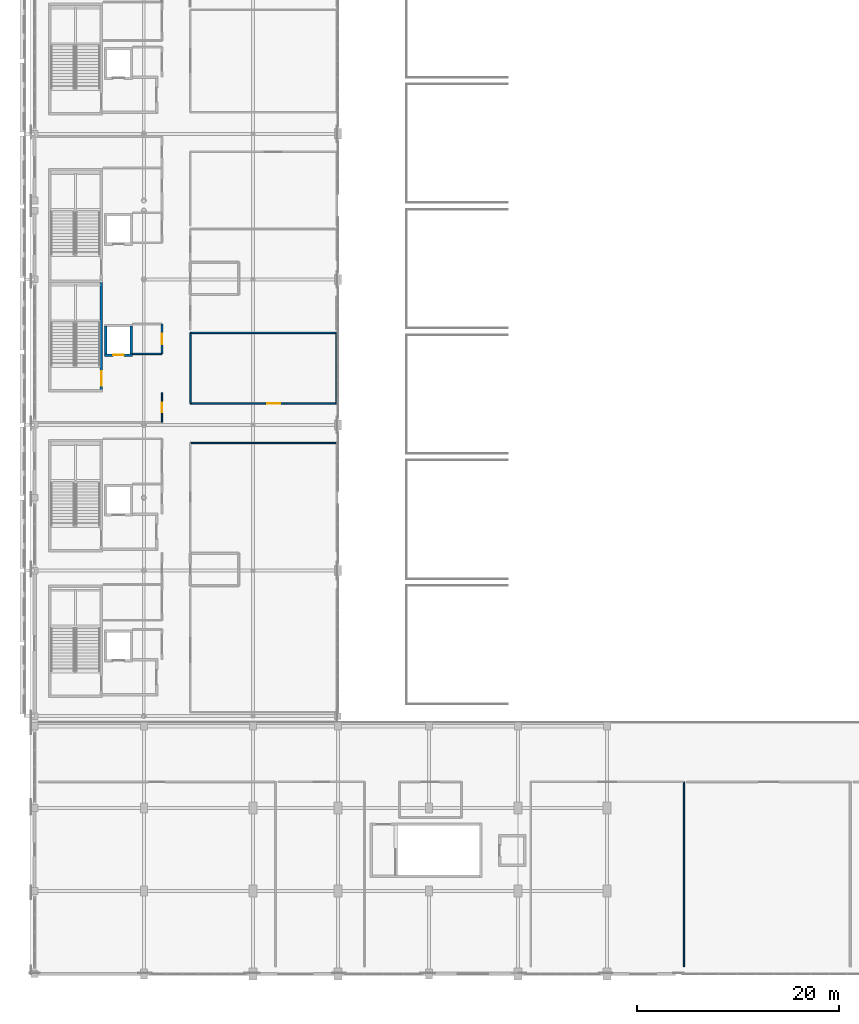
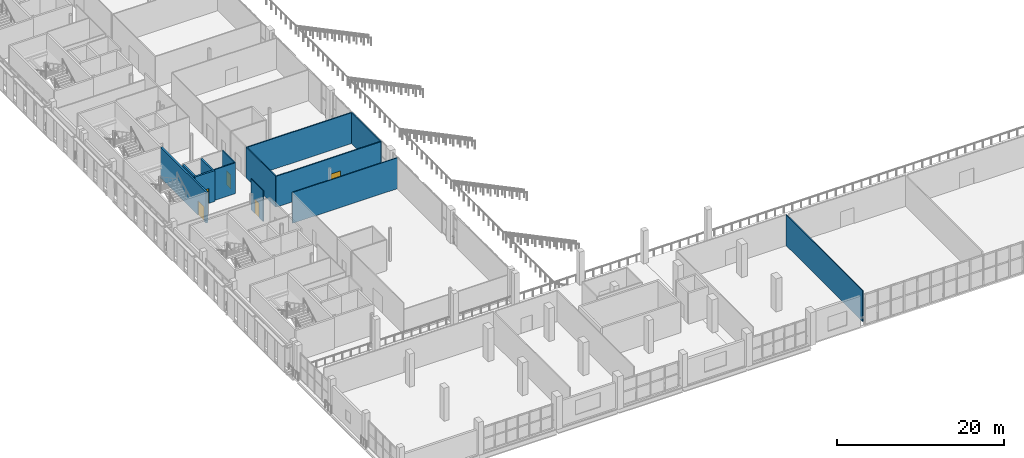
# One storey, part 64 of 104: 13 walls, 5 doors, 5 openings.
"""IFC4 building model written with IfcOpenShell, lengths in metres."""

import ifcopenshell
import ifcopenshell.guid

model = None  # the IFC model being written
_history = None  # IfcOwnerHistory: only IFC2X3 demands one
_inside = {}  # id of a spatial element -> (the spatial element, [elements in it])
_under = {}  # id of a project, library or spatial element -> (it, [spatial elements below it])
_declared = {}  # id of a project -> (the project, [libraries it declares])
_typed = {}  # id of a type object -> (the type object, [elements of that type])
_made_of = {}  # id of a material, layer set ... -> (it, [elements and type objects made of it])


def new_model(schema):
    """Start an empty IFC model of exactly this schema.

    Asked for "IFC4X3", IfcOpenShell would pick the latest addendum, in which some entities
    have other attributes; the version numbers below select the first issue.
    IFC2X3 requires an IfcOwnerHistory on every rooted entity: one is made here for all.
    """
    global model, _history
    if schema == "IFC4X3":
        model = ifcopenshell.file(schema_version=(4, 3, 0, 0))
    else:
        model = ifcopenshell.file(schema=schema)
    _inside.clear()
    _under.clear()
    _declared.clear()
    _typed.clear()
    _made_of.clear()
    _history = None
    if model.schema == "IFC2X3":
        org = make("IfcOrganization", Name="unknown")
        user = make(
            "IfcPersonAndOrganization",
            ThePerson=make("IfcPerson", FamilyName="unknown"),
            TheOrganization=org,
        )
        app = make(
            "IfcApplication",
            ApplicationDeveloper=org,
            Version="unknown",
            ApplicationFullName="unknown",
            ApplicationIdentifier="unknown",
        )
        _history = make(
            "IfcOwnerHistory",
            OwningUser=user,
            OwningApplication=app,
            ChangeAction="ADDED",
            CreationDate=0,
        )
    return model


def make(cls, **values):
    """One entity of the class cls with the attributes given. An attribute that is None is left unset."""
    return model.create_entity(
        cls, **{name: value for name, value in values.items() if value is not None}
    )


def rooted(cls, **values):
    """An entity with a GlobalId (a new one), such as an element, a storey or a relation."""
    return make(cls, GlobalId=ifcopenshell.guid.new(), OwnerHistory=_history, **values)


def si_unit(unit_type, name, prefix=None):
    """IfcSIUnit, for example si_unit("LENGTHUNIT", "METRE", prefix="MILLI")."""
    return make("IfcSIUnit", UnitType=unit_type, Prefix=prefix, Name=name)


def assignment(units):
    """IfcUnitAssignment: the units of a project."""
    return None if units is None else make("IfcUnitAssignment", Units=units)


def point(xyz):
    """IfcCartesianPoint."""
    return None if xyz is None else make("IfcCartesianPoint", Coordinates=xyz)


def direction(xyz):
    """IfcDirection."""
    return None if xyz is None else make("IfcDirection", DirectionRatios=xyz)


def frame(location, z_axis=None, x_axis=None):
    """IfcAxis2Placement3D, a coordinate frame: its origin and axes. An axis left out is left unset."""
    return make(
        "IfcAxis2Placement3D",
        Location=point(location),
        Axis=direction(z_axis),
        RefDirection=direction(x_axis),
    )


def frame_2d(location, x_axis=None):
    """IfcAxis2Placement2D, a coordinate frame in the plane: its origin and x axis."""
    return make(
        "IfcAxis2Placement2D", Location=point(location), RefDirection=direction(x_axis)
    )


def origin():
    """The frame at (0, 0, 0) with its axes left unset."""
    return frame((0.0, 0.0, 0.0))


def place(relative_to, where):
    """IfcLocalPlacement: puts the frame where relative to a parent placement (None: the world)."""
    return make(
        "IfcLocalPlacement", PlacementRelTo=relative_to, RelativePlacement=where
    )


def context(
    kind, dimensions, precision=None, world=None, true_north=None, identifier=None
):
    """IfcGeometricRepresentationContext, for example the 3D "Model" context."""
    return make(
        "IfcGeometricRepresentationContext",
        ContextIdentifier=identifier,
        ContextType=kind,
        CoordinateSpaceDimension=dimensions,
        Precision=precision,
        WorldCoordinateSystem=world,
        TrueNorth=true_north,
    )


def subcontext(parent, identifier, kind, view, scale=None):
    """IfcGeometricRepresentationSubContext, for example "Body" below "Model"."""
    return make(
        "IfcGeometricRepresentationSubContext",
        ContextIdentifier=identifier,
        ContextType=kind,
        ParentContext=parent,
        TargetScale=scale,
        TargetView=view,
    )


def project(units=None, contexts=None):
    """IfcProject with its units and contexts."""
    return rooted(
        "IfcProject",
        Name="project",
        RepresentationContexts=contexts,
        UnitsInContext=assignment(units),
    )


def spatial(cls, under=None, at=None, **own):
    """A site, building, storey or space (cls), placed at a placement, below another one or the project."""
    s = rooted(cls, ObjectPlacement=at, **own)
    if under is not None:
        _under.setdefault(under.id(), (under, []))[1].append(s)
    return s


def profile(cls, at=None, kind="AREA", **sizes):
    """A parametric profile (cls). Its sizes go by their IFC names, for example OverallWidth=200.0."""
    return make(cls, ProfileType=kind, Position=at, **sizes)


def rectangle(**sizes):
    """IfcRectangleProfileDef."""
    return profile("IfcRectangleProfileDef", **sizes)


def extrude(swept, where, along, depth):
    """IfcExtrudedAreaSolid: the profile swept, set in the frame where, extruded along a direction by depth."""
    return make(
        "IfcExtrudedAreaSolid",
        SweptArea=swept,
        Position=where,
        ExtrudedDirection=direction(along),
        Depth=depth,
    )


def shape(context_of_items, identifier, shape_type, items):
    """IfcShapeRepresentation: the items that make up one representation, for example the "Body"."""
    return make(
        "IfcShapeRepresentation",
        ContextOfItems=context_of_items,
        RepresentationIdentifier=identifier,
        RepresentationType=shape_type,
        Items=items,
    )


def material(Name=None, Category=None):
    """IfcMaterial."""
    return make("IfcMaterial", Name=Name, Category=Category)


def layer(
    of_material, thickness, ventilated=None, Name=None, Category=None, Priority=None
):
    """IfcMaterialLayer: one layer of a wall or slab, of a material (None: an air gap)."""
    return make(
        "IfcMaterialLayer",
        Material=of_material,
        LayerThickness=thickness,
        IsVentilated=ventilated,
        Name=Name,
        Category=Category,
        Priority=Priority,
    )


def layer_set(layers, Name=None):
    """IfcMaterialLayerSet."""
    return make("IfcMaterialLayerSet", MaterialLayers=layers, LayerSetName=Name)


def made_of(thing, what):
    """Note that an element or type object is made of a material, layer set ...; save() writes the relation."""
    if what is not None:
        _made_of.setdefault(what.id(), (what, []))[1].append(thing)
    return thing


def type_object(cls, material=None, **own):
    """A type object (cls), such as IfcWallType, which elements share."""
    return made_of(rooted(cls, **own), material)


def element(
    cls,
    number,
    at=None,
    inside=None,
    cuts=None,
    type_object=None,
    material=None,
    context=None,
    identifier="Body",
    shape_type=None,
    held_by="IfcProductDefinitionShape",
    body=None,
    shapes=None,
    **own,
):
    """One element of the class cls, such as IfcWall. Its Tag is "e" and its number.

    at: its placement. inside: the storey or other place that contains it. cuts: it is an
    opening in that element (IfcRelVoidsElement). A single representation is given by context,
    identifier, shape_type and body (its items); several are given by shapes. held_by: the class
    of the entity that holds the representations. save() writes the other relations.
    """
    e = rooted(cls, Tag="e%d" % number, ObjectPlacement=at, **own)
    if body is not None:
        shapes = [shape(context, identifier, shape_type, body)]
    if shapes is not None:
        e.Representation = make(held_by, Representations=shapes)
    if inside is not None:
        _inside.setdefault(inside.id(), (inside, []))[1].append(e)
    if cuts is not None:
        rooted(
            "IfcRelVoidsElement", RelatingBuildingElement=cuts, RelatedOpeningElement=e
        )
    if type_object is not None:
        _typed.setdefault(type_object.id(), (type_object, []))[1].append(e)
    return made_of(e, material)


def fill(opening, filler):
    """IfcRelFillsElement: the door or window that sits in an opening."""
    return rooted(
        "IfcRelFillsElement",
        RelatingOpeningElement=opening,
        RelatedBuildingElement=filler,
    )


def aggregate(whole, parts):
    """IfcRelAggregates: a whole, such as a stair, and the parts it consists of."""
    return rooted("IfcRelAggregates", RelatingObject=whole, RelatedObjects=parts)


def save(model, path):
    """Write the relations noted so far, then the file.

    IfcRelAggregates (storeys below a building ...), IfcRelContainedInSpatialStructure (elements
    in a storey), IfcRelDefinesByType, IfcRelAssociatesMaterial and IfcRelDeclares: one each for
    every whole, place, type object, material and project.
    """
    for whole, parts in _under.values():
        aggregate(whole, parts)
    for where, things in _inside.values():
        rooted(
            "IfcRelContainedInSpatialStructure",
            RelatedElements=things,
            RelatingStructure=where,
        )
    for kind, things in _typed.values():
        rooted("IfcRelDefinesByType", RelatedObjects=things, RelatingType=kind)
    for what, things in _made_of.values():
        rooted("IfcRelAssociatesMaterial", RelatedObjects=things, RelatingMaterial=what)
    for by, libraries in _declared.values():
        rooted("IfcRelDeclares", RelatingContext=by, RelatedDefinitions=libraries)
    model.write(path)


model = new_model("IFC4")

# Units and contexts
model_context = context("Model", 3, precision=1e-05, world=origin(), true_north=direction((0.0, 1.0)))
body_context = subcontext(model_context, "Body", "Model", "MODEL_VIEW")
ifc_project = project(units=[si_unit("LENGTHUNIT", "METRE"), si_unit("AREAUNIT", "SQUARE_METRE"), si_unit("VOLUMEUNIT", "CUBIC_METRE"), si_unit("PLANEANGLEUNIT", "RADIAN"), si_unit("MASSUNIT", "GRAM", prefix="KILO")], contexts=[model_context])

# Site, building, storey
site_placement = place(None, origin())
site = spatial("IfcSite", under=ifc_project, at=site_placement, CompositionType="ELEMENT")
building_placement = place(site_placement, origin())
building = spatial("IfcBuilding", under=site, at=building_placement, Name="Koshinbarg Plaza Stadium", CompositionType="ELEMENT")
storey_placement = place(building_placement, frame((0.0, 0.0, 19.800048828125)))
storey = spatial("IfcBuildingStorey", under=building, at=storey_placement, Name="L04", CompositionType="ELEMENT", Elevation=19.800048828125)

# Wall, opening, door
ifc_material_1 = material(Name="Concrete C40/50", Category="concrete")
ifc_layer_1 = layer(ifc_material_1, 0.25)
ifc_layer_set_1 = layer_set([ifc_layer_1], Name="Concrete C40/50")
wall_type_1 = type_object("IfcWallType", Name="WL-CORE-250", PredefinedType="SHEAR", material=ifc_layer_set_1)
wall_1_placement = place(storey_placement, frame((31.195068359375, 57.675048828125, 0.0), z_axis=(0.0, 0.0, 1.0), x_axis=(0.0, 1.0, 0.0)))
wall_1 = element("IfcWall", 1, at=wall_1_placement, inside=storey, type_object=wall_type_1, Name="L04 core stair shear wall C03-right IWL-L04-0076", PredefinedType="SHEAR", context=body_context, shape_type="SweptSolid", body=[
    extrude(rectangle(XDim=10.849853515625, YDim=0.25, at=frame_2d((5.4248046875, 0.0))), origin(), (0.0, 0.0, 1.0), 4.5),
])
opening_1_placement = place(wall_1_placement, frame((0.52001953125, 0.0, 0.0)))
opening_1 = element("IfcOpeningElement", 2, at=opening_1_placement, cuts=wall_1, Name="Opening D-0079", PredefinedType="OPENING", context=body_context, shape_type="SweptSolid", body=[
    extrude(rectangle(XDim=1.39990234375, YDim=2.14990234375, at=frame_2d((0.699951171875, 1.074951171875))), frame((0.0, 0.135009765625, 0.0), z_axis=(0.0, -1.0, 0.0), x_axis=(1.0, 0.0, 0.0)), (0.0, 0.0, 1.0), 0.27001953125),
])
ifc_material_2 = material(Name="Painted galvanized steel fire door", Category="steel")
door_type_1 = type_object("IfcDoorType", Name="DR-STAIR-1400", OperationType="NOTDEFINED", PredefinedType="DOOR", material=ifc_material_2)
door_1_placement = place(opening_1_placement, origin())
door_1 = element("IfcDoor", 3, at=door_1_placement, inside=storey, type_object=door_type_1, Name="L04 exit stair door C03", OperationType="SINGLE_SWING_LEFT", OverallHeight=2.14990234375, OverallWidth=1.39990234375, PredefinedType="DOOR", context=body_context, shape_type="SweptSolid", body=[
    extrude(rectangle(XDim=1.39990234375, YDim=2.14990234375, at=frame_2d((0.699951171875, 1.074951171875))), frame((0.0, 0.02490234375, 0.0), z_axis=(0.0, -1.0, 0.0), x_axis=(1.0, 0.0, 0.0)), (0.0, 0.0, 1.0), 0.050048828125),
])
fill(opening_1, door_1)

wall_2_placement = place(storey_placement, frame((31.52490234375, 61.199951171875, 0.0), z_axis=(0.0, 0.0, 1.0), x_axis=(1.0, 0.0, 0.0)))
wall_2 = element("IfcWall", 4, at=wall_2_placement, inside=storey, type_object=wall_type_1, Name="L04 lift shaft shear wall LP01-S IWL-L04-0724", PredefinedType="SHEAR", context=body_context, shape_type="SweptSolid", body=[
    extrude(rectangle(XDim=2.75, YDim=0.25, at=frame_2d((1.375, 0.0))), origin(), (0.0, 0.0, 1.0), 4.5),
])
opening_2_placement = place(wall_2_placement, frame((0.85009765625, 0.0, 0.0)))
opening_2 = element("IfcOpeningElement", 5, at=opening_2_placement, cuts=wall_2, Name="Opening D-0247", PredefinedType="OPENING", context=body_context, shape_type="SweptSolid", body=[
    extrude(rectangle(XDim=1.050048828125, YDim=2.14990234375, at=frame_2d((0.52490234375, 1.074951171875))), frame((0.0, 0.135009765625, 0.0), z_axis=(0.0, -1.0, 0.0), x_axis=(1.0, 0.0, 0.0)), (0.0, 0.0, 1.0), 0.27001953125),
])
ifc_material_3 = material(Name="Brushed stainless steel sliding lift landing door", Category="steel")
door_type_2 = type_object("IfcDoorType", Name="DR-LIFT-1050", OperationType="NOTDEFINED", PredefinedType="DOOR", material=ifc_material_3)
door_2_placement = place(opening_2_placement, origin())
door_2 = element("IfcDoor", 6, at=door_2_placement, inside=storey, type_object=door_type_2, Name="L04 lift landing door LP01", OperationType="SLIDING_TO_RIGHT", OverallHeight=2.14990234375, OverallWidth=1.050048828125, PredefinedType="DOOR", context=body_context, shape_type="SweptSolid", body=[
    extrude(rectangle(XDim=1.050048828125, YDim=2.14990234375, at=frame_2d((0.52490234375, 1.074951171875))), frame((0.0, 0.02490234375, 0.0), z_axis=(0.0, -1.0, 0.0), x_axis=(1.0, 0.0, 0.0)), (0.0, 0.0, 1.0), 0.050048828125),
])
fill(opening_2, door_2)

# Walls
for number, where, z_axis, x_axis, name in (
    (7, (31.64990234375, 64.10009765625, 0.0), (0.0, 0.0, 1.0), (0.0, -1.0, 0.0), "L04 lift shaft shear wall LP01-W IWL-L04-0726"),
    (8, (34.14990234375, 61.199951171875, 0.0), (0.0, 0.0, 1.0), (0.0, 1.0, 0.0), "L04 lift shaft shear wall LP01-E IWL-L04-0727"),
):
    element("IfcWall", number, at=place(storey_placement, frame(where, z_axis=z_axis, x_axis=x_axis)), inside=storey, type_object=wall_type_1, Name=name, PredefinedType="SHEAR", context=body_context, shape_type="SweptSolid", body=[
        extrude(rectangle(XDim=2.900146484375, YDim=0.25, at=frame_2d((1.4501953125, 0.0))), origin(), (0.0, 0.0, 1.0), 4.5),
    ])
ifc_material_4 = material(Name="Gypsum board metal-stud acoustic partition")
ifc_layer_2 = layer(ifc_material_4, 0.1201171875)
ifc_layer_set_2 = layer_set([ifc_layer_2], Name="Gypsum board metal-stud acoustic partition")
wall_type_2 = type_object("IfcWallType", Name="WL-PART-120", PredefinedType="PARTITIONING", material=ifc_layer_set_2)
wall_3_placement = place(storey_placement, frame((54.47998046875, 52.52001953125, 0.0), z_axis=(0.0, 0.0, 1.0), x_axis=(-1.0, 0.0, 0.0)))
element("IfcWall", 9, at=wall_3_placement, inside=storey, type_object=wall_type_2, Name="L04 interior partition L04-42-north IWL-L04-2106", PredefinedType="PARTITIONING", context=body_context, shape_type="SweptSolid", body=[
    extrude(rectangle(XDim=14.47998046875, YDim=0.1201171875, at=frame_2d((7.239990234375, 0.0))), origin(), (0.0, 0.0, 1.0), 4.5),
])

# Wall, opening, door
wall_4_placement = place(storey_placement, frame((37.199951171875, 54.570068359375, 0.0), z_axis=(0.0, 0.0, 1.0), x_axis=(0.0, 1.0, 0.0)))
wall_4 = element("IfcWall", 10, at=wall_4_placement, inside=storey, type_object=wall_type_2, Name="L04 interior partition L04-43-east IWL-L04-2109", PredefinedType="PARTITIONING", context=body_context, shape_type="SweptSolid", body=[
    extrude(rectangle(XDim=2.89990234375, YDim=0.1201171875, at=frame_2d((1.449951171875, 0.0))), origin(), (0.0, 0.0, 1.0), 4.5),
])
opening_3_placement = place(wall_4_placement, frame((0.969970703125, 0.0, 0.0)))
opening_3 = element("IfcOpeningElement", 11, at=opening_3_placement, cuts=wall_4, Name="Opening D-0726", PredefinedType="OPENING", context=body_context, shape_type="SweptSolid", body=[
    extrude(rectangle(XDim=0.9599609375, YDim=2.10009765625, at=frame_2d((0.47998046875, 1.050048828125))), frame((0.0, 0.070068359375, 0.0), z_axis=(0.0, -1.0, 0.0), x_axis=(1.0, 0.0, 0.0)), (0.0, 0.0, 1.0), 0.14013671875),
])
ifc_material_5 = material(Name="Solid-core oak veneer acoustic door")
door_type_3 = type_object("IfcDoorType", Name="DR-INT-0960x2100", OperationType="NOTDEFINED", PredefinedType="DOOR", material=ifc_material_5)
door_3_placement = place(opening_3_placement, origin())
door_3 = element("IfcDoor", 12, at=door_3_placement, inside=storey, type_object=door_type_3, Name="L04 West Skybox Salon door D-0726", OperationType="SINGLE_SWING_RIGHT", OverallHeight=2.10009765625, OverallWidth=0.9599609375, PredefinedType="DOOR", context=body_context, shape_type="SweptSolid", body=[
    extrude(rectangle(XDim=0.9599609375, YDim=2.10009765625, at=frame_2d((0.47998046875, 1.050048828125))), frame((0.0, 0.02490234375, 0.0), z_axis=(0.0, -1.0, 0.0), x_axis=(1.0, 0.0, 0.0)), (0.0, 0.0, 1.0), 0.050048828125),
])
fill(opening_3, door_3)

# Walls
wall_5_placement = place(storey_placement, frame((88.8232421875, 0.699951171875, 0.0), z_axis=(0.0, 0.0, 1.0), x_axis=(0.0, 1.0, 0.0)))
element("IfcWall", 13, at=wall_5_placement, inside=storey, type_object=wall_type_2, Name="L04 interior partition L04-86-east IWL-L04-2226", PredefinedType="PARTITIONING", context=body_context, shape_type="SweptSolid", body=[
    extrude(rectangle(XDim=18.300048828125, YDim=0.1201171875, at=frame_2d((9.14990234375, 0.0))), origin(), (0.0, 0.0, 1.0), 4.5),
])
ifc_material_6 = material(Name="Double-layer gypsum acoustic suite partition")
ifc_layer_3 = layer(ifc_material_6, 0.14990234375)
ifc_layer_set_3 = layer_set([ifc_layer_3], Name="Double-layer gypsum acoustic suite partition")
wall_type_3 = type_object("IfcWallType", Name="WL-PART-150", PredefinedType="PARTITIONING", material=ifc_layer_set_3)
wall_6_placement = place(storey_placement, frame((34.330078125, 61.330078125, 0.0), z_axis=(0.0, 0.0, 1.0), x_axis=(1.0, 0.0, 0.0)))
element("IfcWall", 14, at=wall_6_placement, inside=storey, type_object=wall_type_3, Name="L04 interior partition L04-44-south IWL-L04-2110", PredefinedType="PARTITIONING", context=body_context, shape_type="SweptSolid", body=[
    extrude(rectangle(XDim=2.869873046875, YDim=0.14990234375, at=frame_2d((1.43505859375, 0.0))), origin(), (0.0, 0.0, 1.0), 4.5),
])

# Wall, opening, door
wall_7_placement = place(storey_placement, frame((37.199951171875, 61.330078125, 0.0), z_axis=(0.0, 0.0, 1.0), x_axis=(0.0, 1.0, 0.0)))
wall_7 = element("IfcWall", 15, at=wall_7_placement, inside=storey, type_object=wall_type_3, Name="L04 interior partition L04-44-east IWL-L04-2111", PredefinedType="PARTITIONING", context=body_context, shape_type="SweptSolid", body=[
    extrude(rectangle(XDim=2.949951171875, YDim=0.14990234375, at=frame_2d((1.47509765625, 0.0))), origin(), (0.0, 0.0, 1.0), 4.5),
])
opening_4_placement = place(wall_7_placement, frame((0.97509765625, 0.0, 0.0)))
opening_4 = element("IfcOpeningElement", 16, at=opening_4_placement, cuts=wall_7, Name="Opening D-0727", PredefinedType="OPENING", context=body_context, shape_type="SweptSolid", body=[
    extrude(rectangle(XDim=1.0, YDim=2.10009765625, at=frame_2d((0.5, 1.050048828125))), frame((0.0, 0.0849609375, 0.0), z_axis=(0.0, -1.0, 0.0), x_axis=(1.0, 0.0, 0.0)), (0.0, 0.0, 1.0), 0.169921875),
])
ifc_material_7 = material(Name="Solid-core laminate accessible WC door")
door_type_4 = type_object("IfcDoorType", Name="DR-INT-1000x2100", OperationType="NOTDEFINED", PredefinedType="DOOR", material=ifc_material_7)
door_4_placement = place(opening_4_placement, origin())
door_4 = element("IfcDoor", 17, at=door_4_placement, inside=storey, type_object=door_type_4, Name="L04 Commentary Production Studio door D-0727", OperationType="SINGLE_SWING_LEFT", OverallHeight=2.10009765625, OverallWidth=1.0, PredefinedType="DOOR", context=body_context, shape_type="SweptSolid", body=[
    extrude(rectangle(XDim=1.0, YDim=2.10009765625, at=frame_2d((0.5, 1.050048828125))), frame((0.0, 0.02490234375, 0.0), z_axis=(0.0, -1.0, 0.0), x_axis=(1.0, 0.0, 0.0)), (0.0, 0.0, 1.0), 0.050048828125),
])
fill(opening_4, door_4)

wall_8_placement = place(storey_placement, frame((40.0, 56.429931640625, 0.0), z_axis=(0.0, 0.0, 1.0), x_axis=(1.0, 0.0, 0.0)))
wall_8 = element("IfcWall", 18, at=wall_8_placement, inside=storey, type_object=wall_type_3, Name="L04 interior partition L04-48-south IWL-L04-2120", PredefinedType="PARTITIONING", context=body_context, shape_type="SweptSolid", body=[
    extrude(rectangle(XDim=14.47998046875, YDim=0.14990234375, at=frame_2d((7.239990234375, 0.0))), origin(), (0.0, 0.0, 1.0), 4.5),
])
opening_5_placement = place(wall_8_placement, frame((7.58837890625, 0.0, 0.0)))
opening_5 = element("IfcOpeningElement", 19, at=opening_5_placement, cuts=wall_8, Name="Opening D-0731", PredefinedType="OPENING", context=body_context, shape_type="SweptSolid", body=[
    extrude(rectangle(XDim=1.300048828125, YDim=2.199951171875, at=frame_2d((0.64990234375, 1.10009765625))), frame((0.0, 0.0849609375, 0.0), z_axis=(0.0, -1.0, 0.0), x_axis=(1.0, 0.0, 0.0)), (0.0, 0.0, 1.0), 0.169921875),
])
ifc_material_8 = material(Name="Thermally broken anodised aluminium glazed door", Category="aluminium")
door_type_5 = type_object("IfcDoorType", Name="DR-INT-1300x2200", OperationType="NOTDEFINED", PredefinedType="DOOR", material=ifc_material_8)
door_5_placement = place(opening_5_placement, origin())
door_5 = element("IfcDoor", 20, at=door_5_placement, inside=storey, type_object=door_type_5, Name="L04 Commentary Production Studio door D-0731", OperationType="SINGLE_SWING_LEFT", OverallHeight=2.199951171875, OverallWidth=1.300048828125, PredefinedType="DOOR", context=body_context, shape_type="SweptSolid", body=[
    extrude(rectangle(XDim=1.300048828125, YDim=2.199951171875, at=frame_2d((0.64990234375, 1.10009765625))), frame((0.0, 0.02490234375, 0.0), z_axis=(0.0, -1.0, 0.0), x_axis=(1.0, 0.0, 0.0)), (0.0, 0.0, 1.0), 0.050048828125),
])
fill(opening_5, door_5)

# Walls
wall_9_placement = place(storey_placement, frame((54.47998046875, 56.429931640625, 0.0), z_axis=(0.0, 0.0, 1.0), x_axis=(0.0, 1.0, 0.0)))
element("IfcWall", 21, at=wall_9_placement, inside=storey, type_object=wall_type_3, Name="L04 interior partition L04-48-east IWL-L04-2121", PredefinedType="PARTITIONING", context=body_context, shape_type="SweptSolid", body=[
    extrude(rectangle(XDim=6.979248046875, YDim=0.14990234375, at=frame_2d((3.48974609375, 0.0))), origin(), (0.0, 0.0, 1.0), 4.5),
])
wall_10_placement = place(storey_placement, frame((54.47998046875, 63.4091796875, 0.0), z_axis=(0.0, 0.0, 1.0), x_axis=(-1.0, 0.0, 0.0)))
element("IfcWall", 22, at=wall_10_placement, inside=storey, type_object=wall_type_3, Name="L04 interior partition L04-48-north IWL-L04-2122", PredefinedType="PARTITIONING", context=body_context, shape_type="SweptSolid", body=[
    extrude(rectangle(XDim=14.47998046875, YDim=0.14990234375, at=frame_2d((7.239990234375, 0.0))), origin(), (0.0, 0.0, 1.0), 4.5),
])
wall_11_placement = place(storey_placement, frame((40.0, 63.4091796875, 0.0), z_axis=(0.0, 0.0, 1.0), x_axis=(0.0, -1.0, 0.0)))
element("IfcWall", 23, at=wall_11_placement, inside=storey, type_object=wall_type_3, Name="L04 interior partition L04-48-west IWL-L04-2123", PredefinedType="PARTITIONING", context=body_context, shape_type="SweptSolid", body=[
    extrude(rectangle(XDim=6.979248046875, YDim=0.14990234375, at=frame_2d((3.48974609375, 0.0))), origin(), (0.0, 0.0, 1.0), 4.5),
])

save(model, "model.ifc")
